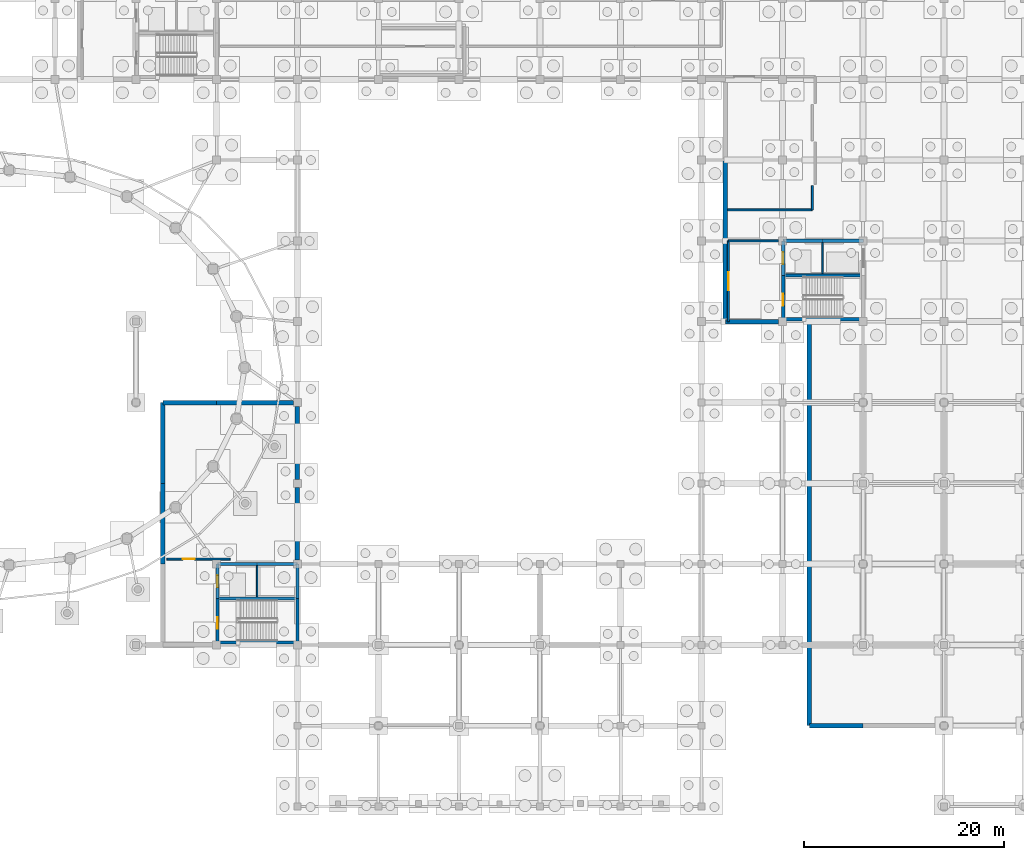
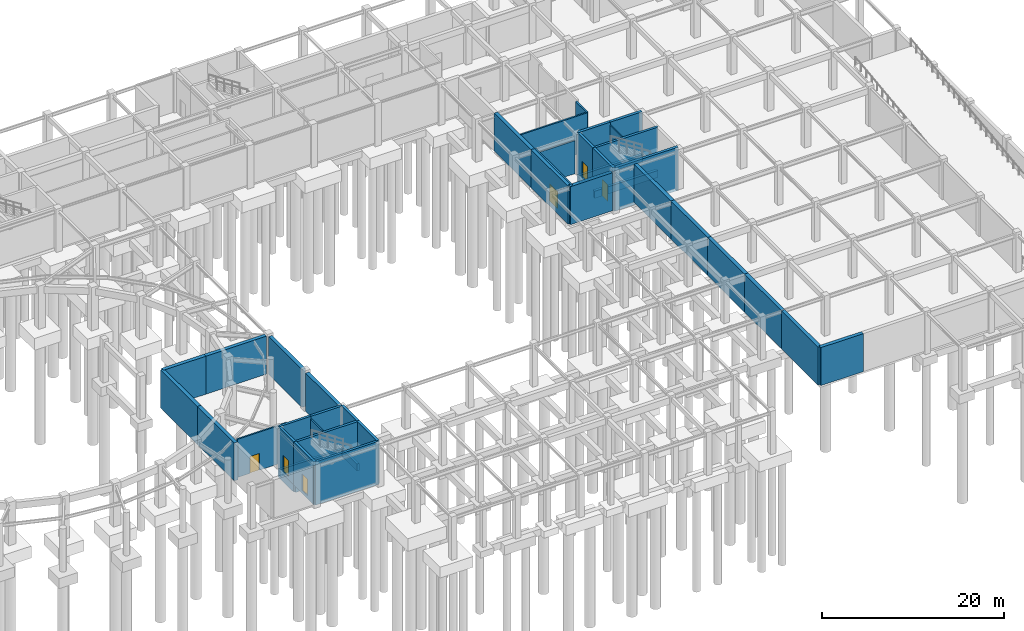
# One storey, part 17 of 26: 43 walls, 6 doors, 6 openings.
"""IFC4 building model written with IfcOpenShell, lengths in metres."""

from ifc_helpers import new_model, si_unit, direction, frame, frame_2d, origin, place, context, subcontext, project, spatial, rectangle, extrude, material, layer, layer_set, type_object, element, fill, save


model = new_model("IFC4")

# Units and contexts
model_context = context("Model", 3, precision=1e-05, world=origin(), true_north=direction((0.0, 1.0)))
body_context = subcontext(model_context, "Body", "Model", "MODEL_VIEW")
ifc_project = project(units=[si_unit("LENGTHUNIT", "METRE"), si_unit("AREAUNIT", "SQUARE_METRE"), si_unit("VOLUMEUNIT", "CUBIC_METRE"), si_unit("PLANEANGLEUNIT", "RADIAN"), si_unit("MASSUNIT", "GRAM", prefix="KILO")], contexts=[model_context])

# Site, building, storey
site_placement = place(None, origin())
site = spatial("IfcSite", under=ifc_project, at=site_placement, CompositionType="ELEMENT")
building_placement = place(site_placement, origin())
building = spatial("IfcBuilding", under=site, at=building_placement, Name="Parian Resonance Hall", CompositionType="ELEMENT")
storey_placement = place(building_placement, frame((0.0, 0.0, -5.39990234375)))
storey = spatial("IfcBuildingStorey", under=building, at=storey_placement, Name="B1", CompositionType="ELEMENT", Elevation=-5.39990234375)

# Walls
ifc_material_1 = material(Name="Concrete C40/50", Category="concrete")
ifc_layer_1 = layer(ifc_material_1, 0.31005859375)
ifc_layer_set_1 = layer_set([ifc_layer_1], Name="Concrete C40/50")
wall_type_1 = type_object("IfcWallType", Name="CW310", PredefinedType="SHEAR", material=ifc_layer_set_1)
wall_1_placement = place(storey_placement, frame((121.570068359375, 53.25, -0.400146484375), z_axis=(0.0, 0.0, 1.0), x_axis=(1.0, 0.0, 0.0)))
element("IfcWall", 1, at=wall_1_placement, inside=storey, type_object=wall_type_1, Name="Core K2 stair-lift divider wall B1", PredefinedType="SHEAR", context=body_context, shape_type="SweptSolid", body=[
    extrude(rectangle(XDim=8.059814453125, YDim=0.31005859375, at=frame_2d((4.02978515625, 0.0))), origin(), (0.0, 0.0, 1.0), 5.800048828125),
])
wall_2_placement = place(storey_placement, frame((64.889892578125, 20.85009765625, -1.35009765625), z_axis=(0.0, 0.0, 1.0), x_axis=(1.0, 0.0, 0.0)))
element("IfcWall", 2, at=wall_2_placement, inside=storey, type_object=wall_type_1, Name="Lift pit wall K3-1", PredefinedType="SHEAR", context=body_context, shape_type="SweptSolid", body=[
    extrude(rectangle(XDim=8.02001953125, YDim=0.31005859375, at=frame_2d((4.010009765625, 0.0))), origin(), (0.0, 0.0, 1.0), 0.949951171875),
])
wall_3_placement = place(storey_placement, frame((72.909912109375, 20.85009765625, -1.35009765625), z_axis=(0.0, 0.0, 1.0), x_axis=(0.0, 1.0, 0.0)))
element("IfcWall", 3, at=wall_3_placement, inside=storey, type_object=wall_type_1, Name="Lift pit wall K3-2", PredefinedType="SHEAR", context=body_context, shape_type="SweptSolid", body=[
    extrude(rectangle(XDim=3.449951171875, YDim=0.31005859375, at=frame_2d((1.72509765625, 0.0))), origin(), (0.0, 0.0, 1.0), 0.949951171875),
])
wall_4_placement = place(storey_placement, frame((72.909912109375, 24.300048828125, -1.35009765625), z_axis=(0.0, 0.0, 1.0), x_axis=(-1.0, 0.0, 0.0)))
element("IfcWall", 4, at=wall_4_placement, inside=storey, type_object=wall_type_1, Name="Lift pit wall K3-3", PredefinedType="SHEAR", context=body_context, shape_type="SweptSolid", body=[
    extrude(rectangle(XDim=8.02001953125, YDim=0.31005859375, at=frame_2d((4.010009765625, 0.0))), origin(), (0.0, 0.0, 1.0), 0.949951171875),
])
wall_5_placement = place(storey_placement, frame((64.889892578125, 24.300048828125, -1.35009765625), z_axis=(0.0, 0.0, 1.0), x_axis=(0.0, -1.0, 0.0)))
element("IfcWall", 5, at=wall_5_placement, inside=storey, type_object=wall_type_1, Name="Lift pit wall K3-4", PredefinedType="SHEAR", context=body_context, shape_type="SweptSolid", body=[
    extrude(rectangle(XDim=3.449951171875, YDim=0.31005859375, at=frame_2d((1.72509765625, 0.0))), origin(), (0.0, 0.0, 1.0), 0.949951171875),
])

# Wall, opening, door
wall_6_placement = place(storey_placement, frame((64.889892578125, 16.449951171875, -0.400146484375), z_axis=(0.0, 0.0, 1.0), x_axis=(0.0, 1.0, 0.0)))
wall_6 = element("IfcWall", 6, at=wall_6_placement, inside=storey, type_object=wall_type_1, Name="Core K3 stairwell west shear wall B1", PredefinedType="SHEAR", context=body_context, shape_type="SweptSolid", body=[
    extrude(rectangle(XDim=4.400146484375, YDim=0.31005859375, at=frame_2d((2.2001953125, 0.0))), origin(), (0.0, 0.0, 1.0), 5.800048828125),
])
opening_1_placement = place(wall_6_placement, frame((1.35009765625, 0.0, 0.39990234375)))
opening_1 = element("IfcOpeningElement", 7, at=opening_1_placement, cuts=wall_6, Name="Opening FD-01", PredefinedType="OPENING", context=body_context, shape_type="SweptSolid", body=[
    extrude(rectangle(XDim=1.199951171875, YDim=2.25, at=frame_2d((0.60009765625, 1.125))), frame((0.0, 0.1650390625, 0.0), z_axis=(0.0, -1.0, 0.0), x_axis=(1.0, 0.0, 0.0)), (0.0, 0.0, 1.0), 0.330078125),
])
ifc_material_2 = material(Name="Fire-rated acoustic steel and narra timber door", Category="steel")
door_type_1 = type_object("IfcDoorType", Name="FD-01", OperationType="NOTDEFINED", PredefinedType="DOOR", material=ifc_material_2)
door_1_placement = place(opening_1_placement, origin())
door_1 = element("IfcDoor", 8, at=door_1_placement, inside=storey, type_object=door_type_1, Name="Exit stair ST-03 fire door B1", OperationType="SINGLE_SWING_LEFT", OverallHeight=2.25, OverallWidth=1.199951171875, PredefinedType="DOOR", context=body_context, shape_type="SweptSolid", body=[
    extrude(rectangle(XDim=1.199951171875, YDim=2.25, at=frame_2d((0.60009765625, 1.125))), frame((0.0, 0.02490234375, 0.0), z_axis=(0.0, -1.0, 0.0), x_axis=(1.0, 0.0, 0.0)), (0.0, 0.0, 1.0), 0.050048828125),
])
fill(opening_1, door_1)

wall_7_placement = place(storey_placement, frame((64.889892578125, 20.85009765625, -0.400146484375), z_axis=(0.0, 0.0, 1.0), x_axis=(0.0, 1.0, 0.0)))
wall_7 = element("IfcWall", 9, at=wall_7_placement, inside=storey, type_object=wall_type_1, Name="Core K3 lift shaft west shear wall B1", PredefinedType="SHEAR", context=body_context, shape_type="SweptSolid", body=[
    extrude(rectangle(XDim=3.449951171875, YDim=0.31005859375, at=frame_2d((1.72509765625, 0.0))), origin(), (0.0, 0.0, 1.0), 5.800048828125),
])
opening_2_placement = place(wall_7_placement, frame((1.125, 0.0, 0.39990234375)))
opening_2 = element("IfcOpeningElement", 10, at=opening_2_placement, cuts=wall_7, Name="Opening LD-01", PredefinedType="OPENING", context=body_context, shape_type="SweptSolid", body=[
    extrude(rectangle(XDim=1.199951171875, YDim=2.199951171875, at=frame_2d((0.60009765625, 1.10009765625))), frame((0.0, 0.1650390625, 0.0), z_axis=(0.0, -1.0, 0.0), x_axis=(1.0, 0.0, 0.0)), (0.0, 0.0, 1.0), 0.330078125),
])
ifc_material_3 = material(Name="Stainless steel and bronze elevator cab", Category="steel")
door_type_2 = type_object("IfcDoorType", Name="DOOR-LIFT-1200x2200", OperationType="SLIDING_TO_LEFT", PredefinedType="DOOR", material=ifc_material_3)
door_2_placement = place(opening_2_placement, origin())
door_2 = element("IfcDoor", 11, at=door_2_placement, inside=storey, type_object=door_type_2, Name="Lift LF-04 sliding landing door B1", OperationType="SLIDING_TO_LEFT", OverallHeight=2.199951171875, OverallWidth=1.199951171875, PredefinedType="DOOR", context=body_context, shape_type="SweptSolid", body=[
    extrude(rectangle(XDim=1.199951171875, YDim=2.199951171875, at=frame_2d((0.60009765625, 1.10009765625))), frame((0.0, 0.02490234375, 0.0), z_axis=(0.0, -1.0, 0.0), x_axis=(1.0, 0.0, 0.0)), (0.0, 0.0, 1.0), 0.050048828125),
])
fill(opening_2, door_2)

# Walls
wall_8_placement = place(storey_placement, frame((64.889892578125, 24.300048828125, -0.400146484375), z_axis=(0.0, 0.0, 1.0), x_axis=(1.0, 0.0, 0.0)))
element("IfcWall", 12, at=wall_8_placement, inside=storey, type_object=wall_type_1, Name="Core K3 north-west shaft wall B1", PredefinedType="SHEAR", context=body_context, shape_type="SweptSolid", body=[
    extrude(rectangle(XDim=3.960205078125, YDim=0.31005859375, at=frame_2d((1.97998046875, 0.0))), origin(), (0.0, 0.0, 1.0), 5.800048828125),
])
wall_9_placement = place(storey_placement, frame((68.85009765625, 24.300048828125, -0.400146484375), z_axis=(0.0, 0.0, 1.0), x_axis=(1.0, 0.0, 0.0)))
element("IfcWall", 13, at=wall_9_placement, inside=storey, type_object=wall_type_1, Name="Core K3 north-east shaft wall B1", PredefinedType="SHEAR", context=body_context, shape_type="SweptSolid", body=[
    extrude(rectangle(XDim=4.059814453125, YDim=0.31005859375, at=frame_2d((2.02978515625, 0.0))), origin(), (0.0, 0.0, 1.0), 5.800048828125),
])
wall_10_placement = place(storey_placement, frame((72.909912109375, 24.300048828125, -0.400146484375), z_axis=(0.0, 0.0, 1.0), x_axis=(0.0, -1.0, 0.0)))
element("IfcWall", 14, at=wall_10_placement, inside=storey, type_object=wall_type_1, Name="Core K3 east shaft wall B1", PredefinedType="SHEAR", context=body_context, shape_type="SweptSolid", body=[
    extrude(rectangle(XDim=3.449951171875, YDim=0.31005859375, at=frame_2d((1.72509765625, 0.0))), origin(), (0.0, 0.0, 1.0), 5.800048828125),
])
wall_11_placement = place(storey_placement, frame((72.909912109375, 20.85009765625, -0.400146484375), z_axis=(0.0, 0.0, 1.0), x_axis=(0.0, -1.0, 0.0)))
element("IfcWall", 15, at=wall_11_placement, inside=storey, type_object=wall_type_1, Name="Core K3 stairwell east wall B1", PredefinedType="SHEAR", context=body_context, shape_type="SweptSolid", body=[
    extrude(rectangle(XDim=4.400146484375, YDim=0.31005859375, at=frame_2d((2.2001953125, 0.0))), origin(), (0.0, 0.0, 1.0), 5.800048828125),
])
for number, where, z_axis, x_axis, name in (
    (16, (72.909912109375, 16.449951171875, -0.400146484375), (0.0, 0.0, 1.0), (-1.0, 0.0, 0.0), "Core K3 stairwell south wall B1"),
    (17, (64.889892578125, 20.85009765625, -0.400146484375), (0.0, 0.0, 1.0), (1.0, 0.0, 0.0), "Core K3 stair-lift divider wall B1"),
):
    element("IfcWall", number, at=place(storey_placement, frame(where, z_axis=z_axis, x_axis=x_axis)), inside=storey, type_object=wall_type_1, Name=name, PredefinedType="SHEAR", context=body_context, shape_type="SweptSolid", body=[
        extrude(rectangle(XDim=8.02001953125, YDim=0.31005859375, at=frame_2d((4.010009765625, 0.0))), origin(), (0.0, 0.0, 1.0), 5.800048828125),
    ])
ifc_material_4 = material(Name="Concrete C40/50", Category="concrete")
ifc_layer_2 = layer(ifc_material_4, 0.35009765625)
ifc_layer_set_2 = layer_set([ifc_layer_2], Name="Concrete C40/50")
wall_type_2 = type_object("IfcWallType", Name="CW350", PredefinedType="SHEAR", material=ifc_layer_set_2)
for number, where, z_axis, x_axis, name in (
    (18, (121.570068359375, 53.25, -1.35009765625), (0.0, 0.0, 1.0), (1.0, 0.0, 0.0), "Lift pit wall K2-1"),
    (19, (129.6298828125, 56.699951171875, -1.35009765625), (0.0, 0.0, 1.0), (-1.0, 0.0, 0.0), "Lift pit wall K2-3"),
):
    element("IfcWall", number, at=place(storey_placement, frame(where, z_axis=z_axis, x_axis=x_axis)), inside=storey, type_object=wall_type_2, Name=name, PredefinedType="SHEAR", context=body_context, shape_type="SweptSolid", body=[
        extrude(rectangle(XDim=8.059814453125, YDim=0.35009765625, at=frame_2d((4.02978515625, 0.0))), origin(), (0.0, 0.0, 1.0), 0.949951171875),
    ])
wall_12_placement = place(storey_placement, frame((121.570068359375, 56.699951171875, -1.35009765625), z_axis=(0.0, 0.0, 1.0), x_axis=(0.0, -1.0, 0.0)))
element("IfcWall", 20, at=wall_12_placement, inside=storey, type_object=wall_type_2, Name="Lift pit wall K2-4", PredefinedType="SHEAR", context=body_context, shape_type="SweptSolid", body=[
    extrude(rectangle(XDim=3.449951171875, YDim=0.35009765625, at=frame_2d((1.72509765625, 0.0))), origin(), (0.0, 0.0, 1.0), 0.949951171875),
])

# Wall, opening, door
wall_13_placement = place(storey_placement, frame((121.570068359375, 48.830078125, -0.400146484375), z_axis=(0.0, 0.0, 1.0), x_axis=(0.0, 1.0, 0.0)))
wall_13 = element("IfcWall", 21, at=wall_13_placement, inside=storey, type_object=wall_type_2, Name="Core K2 stairwell west shear wall B1", PredefinedType="SHEAR", context=body_context, shape_type="SweptSolid", body=[
    extrude(rectangle(XDim=4.419921875, YDim=0.35009765625, at=frame_2d((2.2099609375, 0.0))), origin(), (0.0, 0.0, 1.0), 5.800048828125),
])
opening_3_placement = place(wall_13_placement, frame((1.35009765625, 0.0, 0.39990234375)))
opening_3 = element("IfcOpeningElement", 22, at=opening_3_placement, cuts=wall_13, Name="Opening FD-01", PredefinedType="OPENING", context=body_context, shape_type="SweptSolid", body=[
    extrude(rectangle(XDim=1.199951171875, YDim=2.25, at=frame_2d((0.60009765625, 1.125))), frame((0.0, 0.18505859375, 0.0), z_axis=(0.0, -1.0, 0.0), x_axis=(1.0, 0.0, 0.0)), (0.0, 0.0, 1.0), 0.3701171875),
])
door_3_placement = place(opening_3_placement, origin())
door_3 = element("IfcDoor", 23, at=door_3_placement, inside=storey, type_object=door_type_1, Name="Exit stair ST-02 fire door B1", OperationType="SINGLE_SWING_RIGHT", OverallHeight=2.25, OverallWidth=1.199951171875, PredefinedType="DOOR", context=body_context, shape_type="SweptSolid", body=[
    extrude(rectangle(XDim=1.199951171875, YDim=2.25, at=frame_2d((0.60009765625, 1.125))), frame((0.0, 0.02490234375, 0.0), z_axis=(0.0, -1.0, 0.0), x_axis=(1.0, 0.0, 0.0)), (0.0, 0.0, 1.0), 0.050048828125),
])
fill(opening_3, door_3)

wall_14_placement = place(storey_placement, frame((121.570068359375, 53.25, -0.400146484375), z_axis=(0.0, 0.0, 1.0), x_axis=(0.0, 1.0, 0.0)))
wall_14 = element("IfcWall", 24, at=wall_14_placement, inside=storey, type_object=wall_type_2, Name="Core K2 lift shaft west shear wall B1", PredefinedType="SHEAR", context=body_context, shape_type="SweptSolid", body=[
    extrude(rectangle(XDim=3.449951171875, YDim=0.35009765625, at=frame_2d((1.72509765625, 0.0))), origin(), (0.0, 0.0, 1.0), 5.800048828125),
])
opening_4_placement = place(wall_14_placement, frame((1.125, 0.0, 0.39990234375)))
opening_4 = element("IfcOpeningElement", 25, at=opening_4_placement, cuts=wall_14, Name="Opening LD-01", PredefinedType="OPENING", context=body_context, shape_type="SweptSolid", body=[
    extrude(rectangle(XDim=1.199951171875, YDim=2.199951171875, at=frame_2d((0.60009765625, 1.10009765625))), frame((0.0, 0.18505859375, 0.0), z_axis=(0.0, -1.0, 0.0), x_axis=(1.0, 0.0, 0.0)), (0.0, 0.0, 1.0), 0.3701171875),
])
door_4_placement = place(opening_4_placement, origin())
door_4 = element("IfcDoor", 26, at=door_4_placement, inside=storey, type_object=door_type_2, Name="Lift LF-02 sliding landing door B1", OperationType="SLIDING_TO_LEFT", OverallHeight=2.199951171875, OverallWidth=1.199951171875, PredefinedType="DOOR", context=body_context, shape_type="SweptSolid", body=[
    extrude(rectangle(XDim=1.199951171875, YDim=2.199951171875, at=frame_2d((0.60009765625, 1.10009765625))), frame((0.0, 0.02490234375, 0.0), z_axis=(0.0, -1.0, 0.0), x_axis=(1.0, 0.0, 0.0)), (0.0, 0.0, 1.0), 0.050048828125),
])
fill(opening_4, door_4)

# Walls
wall_15_placement = place(storey_placement, frame((121.570068359375, 56.699951171875, -0.400146484375), z_axis=(0.0, 0.0, 1.0), x_axis=(1.0, 0.0, 0.0)))
element("IfcWall", 27, at=wall_15_placement, inside=storey, type_object=wall_type_2, Name="Core K2 north-west shaft wall B1", PredefinedType="SHEAR", context=body_context, shape_type="SweptSolid", body=[
    extrude(rectangle(XDim=3.97998046875, YDim=0.35009765625, at=frame_2d((1.989990234375, 0.0))), origin(), (0.0, 0.0, 1.0), 5.800048828125),
])
wall_16_placement = place(storey_placement, frame((125.550048828125, 56.699951171875, -0.400146484375), z_axis=(0.0, 0.0, 1.0), x_axis=(1.0, 0.0, 0.0)))
element("IfcWall", 28, at=wall_16_placement, inside=storey, type_object=wall_type_2, Name="Core K2 north-east shaft wall B1", PredefinedType="SHEAR", context=body_context, shape_type="SweptSolid", body=[
    extrude(rectangle(XDim=4.079833984375, YDim=0.35009765625, at=frame_2d((2.0400390625, 0.0))), origin(), (0.0, 0.0, 1.0), 5.800048828125),
])
wall_17_placement = place(storey_placement, frame((129.6298828125, 48.830078125, -0.400146484375), z_axis=(0.0, 0.0, 1.0), x_axis=(-1.0, 0.0, 0.0)))
element("IfcWall", 29, at=wall_17_placement, inside=storey, type_object=wall_type_2, Name="Core K2 stairwell south wall B1", PredefinedType="SHEAR", context=body_context, shape_type="SweptSolid", body=[
    extrude(rectangle(XDim=8.059814453125, YDim=0.35009765625, at=frame_2d((4.02978515625, 0.0))), origin(), (0.0, 0.0, 1.0), 5.800048828125),
])
ifc_material_5 = material(Name="Concrete C35/45 waterproofed retaining wall", Category="concrete")
ifc_layer_3 = layer(ifc_material_5, 0.449951171875)
ifc_layer_set_3 = layer_set([ifc_layer_3], Name="Concrete C35/45 waterproofed retaining wall")
wall_type_3 = type_object("IfcWallType", Name="EW-RET-450", PredefinedType="USERDEFINED", material=ifc_layer_set_3)
wall_18_placement = place(storey_placement, frame((72.5, 40.5, 0.0), z_axis=(0.0, 0.0, 1.0), x_axis=(-1.0, 0.0, 0.0)))
element("IfcWall", 30, at=wall_18_placement, inside=storey, type_object=wall_type_3, Name="Perimeter closure wall B1", ObjectType="RETAINING WALL", PredefinedType="USERDEFINED", context=body_context, shape_type="SweptSolid", body=[
    extrude(rectangle(XDim=7.699951171875, YDim=0.449951171875, at=frame_2d((3.85009765625, 0.0))), origin(), (0.0, 0.0, 1.0), 5.099853515625),
])
wall_19_placement = place(storey_placement, frame((64.800048828125, 40.5, 0.0), z_axis=(0.0, 0.0, 1.0), x_axis=(-1.0, 0.0, 0.0)))
element("IfcWall", 31, at=wall_19_placement, inside=storey, type_object=wall_type_3, Name="Perimeter closure wall B1", ObjectType="RETAINING WALL", PredefinedType="USERDEFINED", context=body_context, shape_type="SweptSolid", body=[
    extrude(rectangle(XDim=5.400146484375, YDim=0.449951171875, at=frame_2d((2.7001953125, 0.0))), origin(), (0.0, 0.0, 1.0), 5.099853515625),
])
wall_20_placement = place(storey_placement, frame((59.39990234375, 40.5, 0.0), z_axis=(0.0, 0.0, 1.0), x_axis=(0.0, -1.0, 0.0)))
element("IfcWall", 32, at=wall_20_placement, inside=storey, type_object=wall_type_3, Name="Perimeter closure wall B1", ObjectType="RETAINING WALL", PredefinedType="USERDEFINED", context=body_context, shape_type="SweptSolid", body=[
    extrude(rectangle(XDim=8.10009765625, YDim=0.449951171875, at=frame_2d((4.050048828125, 0.0))), origin(), (0.0, 0.0, 1.0), 5.099853515625),
])
wall_21_placement = place(storey_placement, frame((59.39990234375, 32.39990234375, 0.0), z_axis=(0.0, 0.0, 1.0), x_axis=(0.0, -1.0, 0.0)))
element("IfcWall", 33, at=wall_21_placement, inside=storey, type_object=wall_type_3, Name="Perimeter closure wall B1", ObjectType="RETAINING WALL", PredefinedType="USERDEFINED", context=body_context, shape_type="SweptSolid", body=[
    extrude(rectangle(XDim=8.099853515625, YDim=0.449951171875, at=frame_2d((4.0498046875, 0.0))), origin(), (0.0, 0.0, 1.0), 5.099853515625),
])
for number, where, z_axis, x_axis, name in (
    (34, (72.89990234375, 24.699951171875, 0.0), (0.0, 0.0, 1.0), (0.0, 1.0, 0.0), "Perimeter closure wall B1"),
    (35, (72.89990234375, 32.800048828125, 0.0), (0.0, 0.0, 1.0), (0.0, 1.0, 0.0), "Perimeter closure wall B1"),
):
    element("IfcWall", number, at=place(storey_placement, frame(where, z_axis=z_axis, x_axis=x_axis)), inside=storey, type_object=wall_type_3, Name=name, ObjectType="RETAINING WALL", PredefinedType="USERDEFINED", context=body_context, shape_type="SweptSolid", body=[
        extrude(rectangle(XDim=7.300048828125, YDim=0.449951171875, at=frame_2d((3.64990234375, 0.0))), origin(), (0.0, 0.0, 1.0), 5.099853515625),
    ])
wall_22_placement = place(storey_placement, frame((115.800048828125, 48.60009765625, 0.0), z_axis=(0.0, 0.0, 1.0), x_axis=(1.0, 0.0, 0.0)))
element("IfcWall", 36, at=wall_22_placement, inside=storey, type_object=wall_type_3, Name="Perimeter closure wall B1", ObjectType="RETAINING WALL", PredefinedType="USERDEFINED", context=body_context, shape_type="SweptSolid", body=[
    extrude(rectangle(XDim=5.300048828125, YDim=0.449951171875, at=frame_2d((2.64990234375, 0.0))), origin(), (0.0, 0.0, 1.0), 5.099853515625),
])
for number, where, z_axis, x_axis, name in (
    (37, (124.199951171875, 48.60009765625, 0.0), (0.0, 0.0, 1.0), (0.0, -1.0, 0.0), "Perimeter closure wall B1"),
    (38, (124.199951171875, 40.5, 0.0), (0.0, 0.0, 1.0), (0.0, -1.0, 0.0), "Perimeter closure wall B1"),
):
    element("IfcWall", number, at=place(storey_placement, frame(where, z_axis=z_axis, x_axis=x_axis)), inside=storey, type_object=wall_type_3, Name=name, ObjectType="RETAINING WALL", PredefinedType="USERDEFINED", context=body_context, shape_type="SweptSolid", body=[
        extrude(rectangle(XDim=8.10009765625, YDim=0.449951171875, at=frame_2d((4.050048828125, 0.0))), origin(), (0.0, 0.0, 1.0), 5.099853515625),
    ])
wall_23_placement = place(storey_placement, frame((124.199951171875, 32.39990234375, 0.0), z_axis=(0.0, 0.0, 1.0), x_axis=(0.0, -1.0, 0.0)))
element("IfcWall", 39, at=wall_23_placement, inside=storey, type_object=wall_type_3, Name="Perimeter closure wall B1", ObjectType="RETAINING WALL", PredefinedType="USERDEFINED", context=body_context, shape_type="SweptSolid", body=[
    extrude(rectangle(XDim=8.099853515625, YDim=0.449951171875, at=frame_2d((4.0498046875, 0.0))), origin(), (0.0, 0.0, 1.0), 5.099853515625),
])
wall_24_placement = place(storey_placement, frame((124.199951171875, 24.300048828125, 0.0), z_axis=(0.0, 0.0, 1.0), x_axis=(0.0, -1.0, 0.0)))
element("IfcWall", 40, at=wall_24_placement, inside=storey, type_object=wall_type_3, Name="Perimeter closure wall B1", ObjectType="RETAINING WALL", PredefinedType="USERDEFINED", context=body_context, shape_type="SweptSolid", body=[
    extrude(rectangle(XDim=8.10009765625, YDim=0.449951171875, at=frame_2d((4.050048828125, 0.0))), origin(), (0.0, 0.0, 1.0), 5.099853515625),
])
wall_25_placement = place(storey_placement, frame((124.199951171875, 16.199951171875, 0.0), z_axis=(0.0, 0.0, 1.0), x_axis=(0.0, -1.0, 0.0)))
element("IfcWall", 41, at=wall_25_placement, inside=storey, type_object=wall_type_3, Name="Perimeter closure wall B1", ObjectType="RETAINING WALL", PredefinedType="USERDEFINED", context=body_context, shape_type="SweptSolid", body=[
    extrude(rectangle(XDim=8.099853515625, YDim=0.449951171875, at=frame_2d((4.0498046875, 0.0))), origin(), (0.0, 0.0, 1.0), 5.099853515625),
])
wall_26_placement = place(storey_placement, frame((124.199951171875, 8.10009765625, 0.0), z_axis=(0.0, 0.0, 1.0), x_axis=(1.0, 0.0, 0.0)))
element("IfcWall", 42, at=wall_26_placement, inside=storey, type_object=wall_type_3, Name="Perimeter closure wall B1", ObjectType="RETAINING WALL", PredefinedType="USERDEFINED", context=body_context, shape_type="SweptSolid", body=[
    extrude(rectangle(XDim=5.400146484375, YDim=0.449951171875, at=frame_2d((2.7001953125, 0.0))), origin(), (0.0, 0.0, 1.0), 5.099853515625),
])
wall_27_placement = place(storey_placement, frame((115.800048828125, 64.800048828125, 0.0), z_axis=(0.0, 0.0, 1.0), x_axis=(0.0, -1.0, 0.0)))
element("IfcWall", 43, at=wall_27_placement, inside=storey, type_object=wall_type_3, Name="Perimeter closure wall B1", ObjectType="RETAINING WALL", PredefinedType="USERDEFINED", context=body_context, shape_type="SweptSolid", body=[
    extrude(rectangle(XDim=8.10009765625, YDim=0.449951171875, at=frame_2d((4.050048828125, 0.0))), origin(), (0.0, 0.0, 1.0), 5.099853515625),
])
wall_28_placement = place(storey_placement, frame((115.800048828125, 56.699951171875, 0.0), z_axis=(0.0, 0.0, 1.0), x_axis=(0.0, -1.0, 0.0)))
element("IfcWall", 44, at=wall_28_placement, inside=storey, type_object=wall_type_3, Name="Perimeter closure wall B1", ObjectType="RETAINING WALL", PredefinedType="USERDEFINED", context=body_context, shape_type="SweptSolid", body=[
    extrude(rectangle(XDim=8.099853515625, YDim=0.449951171875, at=frame_2d((4.0498046875, 0.0))), origin(), (0.0, 0.0, 1.0), 5.099853515625),
])

# Wall, opening, door
ifc_material_6 = material(Name="Concrete C35/45 fire barrier", Category="concrete")
ifc_layer_4 = layer(ifc_material_6, 0.199951171875)
ifc_layer_set_4 = layer_set([ifc_layer_4], Name="Concrete C35/45 fire barrier")
wall_type_4 = type_object("IfcWallType", Name="FW200", PredefinedType="PARTITIONING", material=ifc_layer_set_4)
wall_29_placement = place(storey_placement, frame((116.10009765625, 48.60009765625, 0.0), z_axis=(0.0, 0.0, 1.0), x_axis=(0.0, 1.0, 0.0)))
wall_29 = element("IfcWall", 45, at=wall_29_placement, inside=storey, type_object=wall_type_4, Name="Firefighting lift lobby K2 west fire barrier B1", PredefinedType="PARTITIONING", context=body_context, shape_type="SweptSolid", body=[
    extrude(rectangle(XDim=8.099853515625, YDim=0.199951171875, at=frame_2d((4.0498046875, 0.0))), origin(), (0.0, 0.0, 1.0), 5.099853515625),
])
opening_5_placement = place(wall_29_placement, frame((3.14990234375, 0.0, 0.0)))
opening_5 = element("IfcOpeningElement", 46, at=opening_5_placement, cuts=wall_29, Name="Opening FD-02", PredefinedType="OPENING", context=body_context, shape_type="SweptSolid", body=[
    extrude(rectangle(XDim=1.800048828125, YDim=2.25, at=frame_2d((0.89990234375, 1.125))), frame((0.0, 0.10986328125, 0.0), z_axis=(0.0, -1.0, 0.0), x_axis=(1.0, 0.0, 0.0)), (0.0, 0.0, 1.0), 0.219970703125),
])
ifc_material_7 = material(Name="Fire-rated acoustic steel and narra timber door", Category="steel")
door_type_3 = type_object("IfcDoorType", Name="FD-02", OperationType="NOTDEFINED", PredefinedType="DOOR", material=ifc_material_7)
door_5_placement = place(opening_5_placement, origin())
door_5 = element("IfcDoor", 47, at=door_5_placement, inside=storey, type_object=door_type_3, Name="Firefighting lift lobby K2 smoke-seal fire door B1", OperationType="DOUBLE_DOOR_SINGLE_SWING", OverallHeight=2.25, OverallWidth=1.800048828125, PredefinedType="DOOR", context=body_context, shape_type="SweptSolid", body=[
    extrude(rectangle(XDim=1.800048828125, YDim=2.25, at=frame_2d((0.89990234375, 1.125))), frame((0.0, 0.02490234375, 0.0), z_axis=(0.0, -1.0, 0.0), x_axis=(1.0, 0.0, 0.0)), (0.0, 0.0, 1.0), 0.050048828125),
])
fill(opening_5, door_5)

# Wall
wall_30_placement = place(storey_placement, frame((116.10009765625, 56.699951171875, 0.0), z_axis=(0.0, 0.0, 1.0), x_axis=(1.0, 0.0, 0.0)))
element("IfcWall", 48, at=wall_30_placement, inside=storey, type_object=wall_type_4, Name="Firefighting lift lobby K2 N fire barrier B1", PredefinedType="PARTITIONING", context=body_context, shape_type="SweptSolid", body=[
    extrude(rectangle(XDim=5.0, YDim=0.199951171875, at=frame_2d((2.5, 0.0))), origin(), (0.0, 0.0, 1.0), 4.44580078125),
])

# Wall, opening, door
wall_31_placement = place(storey_placement, frame((66.14990234375, 24.800048828125, 0.0), z_axis=(0.0, 0.0, 1.0), x_axis=(-1.0, 0.0, 0.0)))
wall_31 = element("IfcWall", 49, at=wall_31_placement, inside=storey, type_object=wall_type_4, Name="Interior acoustic partition IW-B1-0001", PredefinedType="PARTITIONING", context=body_context, shape_type="SweptSolid", body=[
    extrude(rectangle(XDim=6.349853515625, YDim=0.199951171875, at=frame_2d((3.1748046875, 0.0))), origin(), (0.0, 0.0, 1.0), 5.119873046875),
])
opening_6_placement = place(wall_31_placement, frame((3.527587890625, 0.0, 0.0)))
opening_6 = element("IfcOpeningElement", 50, at=opening_6_placement, cuts=wall_31, Name="Opening FD-01", PredefinedType="OPENING", context=body_context, shape_type="SweptSolid", body=[
    extrude(rectangle(XDim=1.199951171875, YDim=2.25, at=frame_2d((0.60009765625, 1.125))), frame((0.0, 0.10986328125, 0.0), z_axis=(0.0, -1.0, 0.0), x_axis=(1.0, 0.0, 0.0)), (0.0, 0.0, 1.0), 0.219970703125),
])
door_6_placement = place(opening_6_placement, origin())
door_6 = element("IfcDoor", 51, at=door_6_placement, inside=storey, type_object=door_type_1, Name="Orchestral Instrument Vault door", OperationType="SINGLE_SWING_RIGHT", OverallHeight=2.25, OverallWidth=1.199951171875, PredefinedType="DOOR", context=body_context, shape_type="SweptSolid", body=[
    extrude(rectangle(XDim=1.199951171875, YDim=2.25, at=frame_2d((0.60009765625, 1.125))), frame((0.0, 0.02490234375, 0.0), z_axis=(0.0, -1.0, 0.0), x_axis=(1.0, 0.0, 0.0)), (0.0, 0.0, 1.0), 0.050048828125),
])
fill(opening_6, door_6)

# Walls
wall_32_placement = place(storey_placement, frame((124.510009765625, 62.25, 0.0), z_axis=(0.0, 0.0, 1.0), x_axis=(0.0, -1.0, 0.0)))
element("IfcWall", 52, at=wall_32_placement, inside=storey, type_object=wall_type_4, Name="Interior acoustic partition IW-B1-0016", PredefinedType="PARTITIONING", context=body_context, shape_type="SweptSolid", body=[
    extrude(rectangle(XDim=2.449951171875, YDim=0.199951171875, at=frame_2d((1.22509765625, 0.0))), origin(), (0.0, 0.0, 1.0), 5.119873046875),
])
wall_33_placement = place(storey_placement, frame((124.510009765625, 59.800048828125, 0.0), z_axis=(0.0, 0.0, 1.0), x_axis=(-1.0, 0.0, 0.0)))
element("IfcWall", 53, at=wall_33_placement, inside=storey, type_object=wall_type_4, Name="Interior acoustic partition IW-B1-0017", PredefinedType="PARTITIONING", context=body_context, shape_type="SweptSolid", body=[
    extrude(rectangle(XDim=8.489990234375, YDim=0.199951171875, at=frame_2d((4.2451171875, 0.0))), origin(), (0.0, 0.0, 1.0), 5.119873046875),
])
ifc_material_8 = material(Name="Concrete C35/45 acoustic plumbing chase wall", Category="concrete")
ifc_layer_5 = layer(ifc_material_8, 0.14990234375)
ifc_layer_set_5 = layer_set([ifc_layer_5], Name="Concrete C35/45 acoustic plumbing chase wall")
wall_type_5 = type_object("IfcWallType", Name="PW150", PredefinedType="PLUMBINGWALL", material=ifc_layer_set_5)
wall_34_placement = place(storey_placement, frame((125.550048828125, 53.409912109375, 0.0), z_axis=(0.0, 0.0, 1.0), x_axis=(0.0, 1.0, 0.0)))
element("IfcWall", 54, at=wall_34_placement, inside=storey, type_object=wall_type_5, Name="Core K2 shaft plumbing/riser divider B1", PredefinedType="PLUMBINGWALL", context=body_context, shape_type="SweptSolid", body=[
    extrude(rectangle(XDim=3.130126953125, YDim=0.14990234375, at=frame_2d((1.56494140625, 0.0))), origin(), (0.0, 0.0, 1.0), 5.0498046875),
])
wall_35_placement = place(storey_placement, frame((68.85009765625, 21.010009765625, 0.0), z_axis=(0.0, 0.0, 1.0), x_axis=(0.0, 1.0, 0.0)))
element("IfcWall", 55, at=wall_35_placement, inside=storey, type_object=wall_type_5, Name="Core K3 shaft plumbing/riser divider B1", PredefinedType="PLUMBINGWALL", context=body_context, shape_type="SweptSolid", body=[
    extrude(rectangle(XDim=3.1298828125, YDim=0.14990234375, at=frame_2d((1.56494140625, 0.0))), origin(), (0.0, 0.0, 1.0), 5.0498046875),
])

save(model, "model.ifc")
